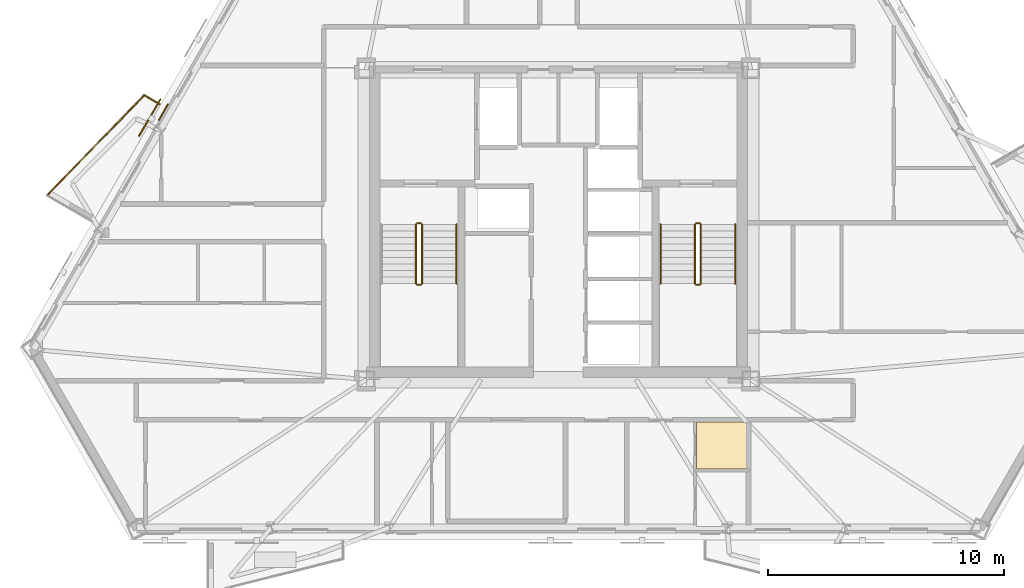
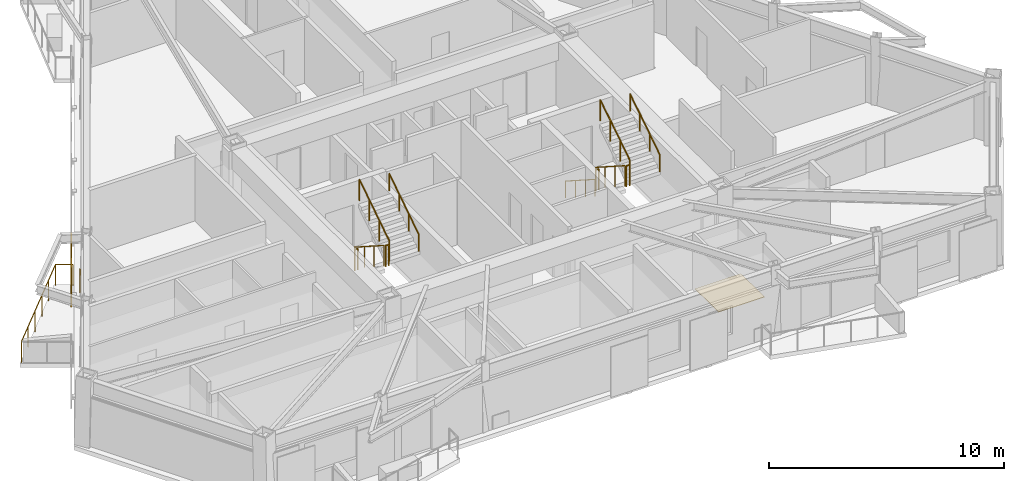
# One storey, part 8 of 9: 13 railings, 2 coverings, 1 shading device.
"""IFC4 building model written with IfcOpenShell, lengths in metres."""

from ifc_helpers import new_model, si_unit, direction, frame, origin, origin_2d, place, context, subcontext, project, spatial, polyline, rectangle, circle, outline, extrude, material, layer, layer_set, type_object, element, save


model = new_model("IFC4")

# Units and contexts
model_context = context("Model", 3, precision=1e-05, world=origin(), true_north=direction((0.0, 1.0)))
body_context = subcontext(model_context, "Body", "Model", "MODEL_VIEW")
ifc_project = project(units=[si_unit("LENGTHUNIT", "METRE"), si_unit("AREAUNIT", "SQUARE_METRE"), si_unit("VOLUMEUNIT", "CUBIC_METRE"), si_unit("PLANEANGLEUNIT", "RADIAN"), si_unit("MASSUNIT", "GRAM", prefix="KILO")], contexts=[model_context])

# Site, building, storey
site_placement = place(None, origin())
site = spatial("IfcSite", under=ifc_project, at=site_placement, CompositionType="ELEMENT")
building_placement = place(site_placement, origin())
building = spatial("IfcBuilding", under=site, at=building_placement, Name="Oramaril Tower", CompositionType="ELEMENT")
storey_placement = place(building_placement, frame((0.0, 0.0, 163.800048828125)))
storey = spatial("IfcBuildingStorey", under=building, at=storey_placement, Name="L43", CompositionType="ELEMENT", Elevation=163.800048828125)

# Coverings
ifc_material_1 = material(Name="Warm Cream Limestone", Category="masonry")
ifc_layer_1 = layer(ifc_material_1, 0.050048828125)
ifc_layer_set_1 = layer_set([ifc_layer_1], Name="CVT-CLD")
covering_type_1 = type_object("IfcCoveringType", Name="CVT-CLD", PredefinedType="CLADDING", material=ifc_layer_set_1)
covering_1_placement = place(storey_placement, frame((20.74658203125, 22.344482421875, 0.0400390625), z_axis=(0.0, 0.0, 1.0), x_axis=(-0.5, -0.866025403784, 0.0)))
element("IfcCovering", 1, at=covering_1_placement, inside=storey, type_object=covering_type_1, Name="L43 Warm Cream Limestone Spandrel Cladding", PredefinedType="CLADDING", context=body_context, shape_type="SweptSolid", body=[
    extrude(rectangle(XDim=0.800048828125, YDim=0.050048828125, at=origin_2d()), origin(), (0.0, 0.0, 1.0), 0.679931640625),
])
ifc_material_2 = material(Name="Honed Quartzite Stone Flooring", Category="masonry")
ifc_layer_2 = layer(ifc_material_2, 0.02490234375)
ifc_layer_set_2 = layer_set([ifc_layer_2], Name="CVT-FLR")
covering_type_2 = type_object("IfcCoveringType", Name="CVT-FLR", PredefinedType="FLOORING", material=ifc_layer_set_2)
covering_2_placement = place(storey_placement, origin())
element("IfcCovering", 2, at=covering_2_placement, inside=storey, type_object=covering_type_2, Name="L43 Honed Stone Floor Finish 13", PredefinedType="FLOORING", context=body_context, shape_type="SweptSolid", body=[
    extrude(outline(polyline([(45.60205078125, 7.208984375), (43.3515625, 7.208984375), (43.3515625, 9.199951171875), (45.60205078125, 9.199951171875), (45.60205078125, 7.208984375)])), origin(), (0.0, 0.0, 1.0), 0.02490234375),
])

# Railings
ifc_material_3 = material(Name="Stainless Steel 316L", Category="steel")
railing_type_1 = type_object("IfcRailingType", Name="RLT-GRD", PredefinedType="GUARDRAIL", material=ifc_material_3)
railing_1_placement = place(storey_placement, frame((15.817138671875, 18.8203125, 0.0)))
element("IfcRailing", 3, at=railing_1_placement, inside=storey, type_object=railing_type_1, Name="L43 Balcony Guardrail L43-BAL-NW2.2", PredefinedType="GUARDRAIL", context=body_context, shape_type="SweptSolid", body=[
    extrude(circle(Radius=0.02392578125, at=origin_2d()), frame((0.0, 0.0, 1.076171875), z_axis=(0.697186915353, 0.716889395277, 0.0), x_axis=(-0.716889395277, 0.697186915353, 0.0)), (0.0, 0.0, 1.0), 5.91064453125),
    extrude(circle(Radius=0.02099609375, at=origin_2d()), origin(), (0.0, 0.0, 1.0), 1.052001953125),
    extrude(circle(Radius=0.02099609375, at=origin_2d()), frame((0.82421875, 0.847412109375, 0.0)), (0.0, 0.0, 1.0), 1.052001953125),
    extrude(circle(Radius=0.02099609375, at=origin_2d()), frame((1.6484375, 1.69482421875, 0.0)), (0.0, 0.0, 1.0), 1.052001953125),
    extrude(circle(Radius=0.02099609375, at=origin_2d()), frame((2.472412109375, 2.54248046875, 0.0)), (0.0, 0.0, 1.0), 1.052001953125),
    extrude(circle(Radius=0.02099609375, at=origin_2d()), frame((3.296630859375, 3.389892578125, 0.0)), (0.0, 0.0, 1.0), 1.052001953125),
    extrude(circle(Radius=0.02099609375, at=origin_2d()), frame((4.120849609375, 4.2373046875, 0.0)), (0.0, 0.0, 1.0), 1.052001953125),
])
railing_2_placement = place(storey_placement, frame((19.93798828125, 23.0576171875, 0.0)))
element("IfcRailing", 4, at=railing_2_placement, inside=storey, type_object=railing_type_1, Name="L43 Balcony Guardrail L43-BAL-NW2.3", PredefinedType="GUARDRAIL", context=body_context, shape_type="SweptSolid", body=[
    extrude(circle(Radius=0.02392578125, at=origin_2d()), frame((0.0, 0.0, 1.076171875), z_axis=(0.866108878364, -0.499855389907, 0.0), x_axis=(0.499855389907, 0.866108878364, 0.0)), (0.0, 0.0, 1.0), 0.741943359375),
    extrude(circle(Radius=0.02099609375, at=origin_2d()), origin(), (0.0, 0.0, 1.0), 1.052001953125),
    extrude(circle(Radius=0.02099609375, at=origin_2d()), frame((0.642578125, -0.370849609375, 0.0)), (0.0, 0.0, 1.0), 1.052001953125),
])
railing_3_placement = place(storey_placement, frame((31.4599609375, 17.590087890625, 0.179931640625)))
element("IfcRailing", 5, at=railing_3_placement, inside=storey, type_object=railing_type_1, Name="L43 ST-1 stair guard 1", PredefinedType="GUARDRAIL", context=body_context, shape_type="SweptSolid", body=[
    extrude(circle(Radius=0.02392578125, at=origin_2d()), frame((0.0, 0.0, 1.076171875), z_axis=(0.0, -0.841162588446, 0.540782303519), x_axis=(1.0, 0.0, 0.0)), (0.0, 0.0, 1.0), 2.995849609375),
    extrude(circle(Radius=0.02099609375, at=origin_2d()), origin(), (0.0, 0.0, 1.0), 1.052001953125),
    extrude(circle(Radius=0.02099609375, at=origin_2d()), frame((0.0, -0.840087890625, 0.5400390625)), (0.0, 0.0, 1.0), 1.052001953125),
    extrude(circle(Radius=0.02099609375, at=origin_2d()), frame((0.0, -1.679931640625, 1.080078125)), (0.0, 0.0, 1.0), 1.052001953125),
    extrude(circle(Radius=0.02099609375, at=origin_2d()), frame((0.0, -2.52001953125, 1.6201171875)), (0.0, 0.0, 1.0), 1.052001953125),
])
railing_4_placement = place(storey_placement, frame((31.510009765625, 15.02001953125, 1.800048828125)))
element("IfcRailing", 6, at=railing_4_placement, inside=storey, type_object=railing_type_1, Name="L43 ST-1 stair guard 2", PredefinedType="GUARDRAIL", context=body_context, shape_type="SweptSolid", body=[
    extrude(circle(Radius=0.02392578125, at=origin_2d()), frame((0.0, 0.0, 1.076171875), z_axis=(1.0, 0.0, 0.0), x_axis=(0.0, 1.0, 0.0)), (0.0, 0.0, 1.0), 0.14990234375),
    extrude(circle(Radius=0.02099609375, at=origin_2d()), origin(), (0.0, 0.0, 1.0), 1.052001953125),
    extrude(circle(Radius=0.02099609375, at=origin_2d()), frame((0.14990234375, 0.0, 0.0)), (0.0, 0.0, 1.0), 1.052001953125),
])
railing_5_placement = place(storey_placement, frame((31.7099609375, 15.070068359375, 1.97998046875)))
element("IfcRailing", 7, at=railing_5_placement, inside=storey, type_object=railing_type_1, Name="L43 ST-1 stair guard 3", PredefinedType="GUARDRAIL", context=body_context, shape_type="SweptSolid", body=[
    extrude(circle(Radius=0.02392578125, at=origin_2d()), frame((0.0, 0.0, 1.076171875), z_axis=(0.0, 0.841199657755, 0.540724639528), x_axis=(-1.0, 0.0, 0.0)), (0.0, 0.0, 1.0), 2.995849609375),
    extrude(circle(Radius=0.02099609375, at=origin_2d()), origin(), (0.0, 0.0, 1.0), 1.052001953125),
    extrude(circle(Radius=0.02099609375, at=origin_2d()), frame((0.0, 0.840087890625, 0.5400390625)), (0.0, 0.0, 1.0), 1.052001953125),
    extrude(circle(Radius=0.02099609375, at=origin_2d()), frame((0.0, 1.679931640625, 1.079833984375)), (0.0, 0.0, 1.0), 1.052001953125),
    extrude(circle(Radius=0.02099609375, at=origin_2d()), frame((0.0, 2.52001953125, 1.619873046875)), (0.0, 0.0, 1.0), 1.052001953125),
])
railing_6_placement = place(storey_placement, frame((31.510009765625, 17.639892578125, 0.0)))
element("IfcRailing", 8, at=railing_6_placement, inside=storey, type_object=railing_type_1, Name="L43 ST-1 stair guard 4", PredefinedType="GUARDRAIL", context=body_context, shape_type="SweptSolid", body=[
    extrude(circle(Radius=0.02392578125, at=origin_2d()), frame((0.0, 0.0, 1.076171875), z_axis=(1.0, 0.0, 0.0), x_axis=(0.0, 1.0, 0.0)), (0.0, 0.0, 1.0), 0.14990234375),
    extrude(circle(Radius=0.02099609375, at=origin_2d()), origin(), (0.0, 0.0, 1.0), 1.052001953125),
    extrude(circle(Radius=0.02099609375, at=origin_2d()), frame((0.14990234375, 0.0, 0.0)), (0.0, 0.0, 1.0), 1.052001953125),
])
railing_7_placement = place(storey_placement, frame((43.2900390625, 17.590087890625, 0.179931640625)))
element("IfcRailing", 9, at=railing_7_placement, inside=storey, type_object=railing_type_1, Name="L43 ST-2 stair guard 1", PredefinedType="GUARDRAIL", context=body_context, shape_type="SweptSolid", body=[
    extrude(circle(Radius=0.02392578125, at=origin_2d()), frame((0.0, 0.0, 1.076171875), z_axis=(0.0, -0.841162588446, 0.540782303519), x_axis=(1.0, 0.0, 0.0)), (0.0, 0.0, 1.0), 2.995849609375),
    extrude(circle(Radius=0.02099609375, at=origin_2d()), origin(), (0.0, 0.0, 1.0), 1.052001953125),
    extrude(circle(Radius=0.02099609375, at=origin_2d()), frame((0.0, -0.840087890625, 0.5400390625)), (0.0, 0.0, 1.0), 1.052001953125),
    extrude(circle(Radius=0.02099609375, at=origin_2d()), frame((0.0, -1.679931640625, 1.080078125)), (0.0, 0.0, 1.0), 1.052001953125),
    extrude(circle(Radius=0.02099609375, at=origin_2d()), frame((0.0, -2.52001953125, 1.6201171875)), (0.0, 0.0, 1.0), 1.052001953125),
])
railing_8_placement = place(storey_placement, frame((43.340087890625, 15.02001953125, 1.800048828125)))
element("IfcRailing", 10, at=railing_8_placement, inside=storey, type_object=railing_type_1, Name="L43 ST-2 stair guard 2", PredefinedType="GUARDRAIL", context=body_context, shape_type="SweptSolid", body=[
    extrude(circle(Radius=0.02392578125, at=origin_2d()), frame((0.0, 0.0, 1.076171875), z_axis=(1.0, 0.0, 0.0), x_axis=(0.0, 1.0, 0.0)), (0.0, 0.0, 1.0), 0.14990234375),
    extrude(circle(Radius=0.02099609375, at=origin_2d()), origin(), (0.0, 0.0, 1.0), 1.052001953125),
    extrude(circle(Radius=0.02099609375, at=origin_2d()), frame((0.14990234375, 0.0, 0.0)), (0.0, 0.0, 1.0), 1.052001953125),
])
railing_9_placement = place(storey_placement, frame((43.5400390625, 15.070068359375, 1.97998046875)))
element("IfcRailing", 11, at=railing_9_placement, inside=storey, type_object=railing_type_1, Name="L43 ST-2 stair guard 3", PredefinedType="GUARDRAIL", context=body_context, shape_type="SweptSolid", body=[
    extrude(circle(Radius=0.02392578125, at=origin_2d()), frame((0.0, 0.0, 1.076171875), z_axis=(0.0, 0.841199657755, 0.540724639528), x_axis=(-1.0, 0.0, 0.0)), (0.0, 0.0, 1.0), 2.995849609375),
    extrude(circle(Radius=0.02099609375, at=origin_2d()), origin(), (0.0, 0.0, 1.0), 1.052001953125),
    extrude(circle(Radius=0.02099609375, at=origin_2d()), frame((0.0, 0.840087890625, 0.5400390625)), (0.0, 0.0, 1.0), 1.052001953125),
    extrude(circle(Radius=0.02099609375, at=origin_2d()), frame((0.0, 1.679931640625, 1.079833984375)), (0.0, 0.0, 1.0), 1.052001953125),
    extrude(circle(Radius=0.02099609375, at=origin_2d()), frame((0.0, 2.52001953125, 1.619873046875)), (0.0, 0.0, 1.0), 1.052001953125),
])
railing_10_placement = place(storey_placement, frame((43.340087890625, 17.639892578125, 0.0)))
element("IfcRailing", 12, at=railing_10_placement, inside=storey, type_object=railing_type_1, Name="L43 ST-2 stair guard 4", PredefinedType="GUARDRAIL", context=body_context, shape_type="SweptSolid", body=[
    extrude(circle(Radius=0.02392578125, at=origin_2d()), frame((0.0, 0.0, 1.076171875), z_axis=(1.0, 0.0, 0.0), x_axis=(0.0, 1.0, 0.0)), (0.0, 0.0, 1.0), 0.14990234375),
    extrude(circle(Radius=0.02099609375, at=origin_2d()), origin(), (0.0, 0.0, 1.0), 1.052001953125),
    extrude(circle(Radius=0.02099609375, at=origin_2d()), frame((0.14990234375, 0.0, 0.0)), (0.0, 0.0, 1.0), 1.052001953125),
])
ifc_material_4 = material(Name="Stainless Steel 316L", Category="steel")
railing_type_2 = type_object("IfcRailingType", Name="RLT-HND", PredefinedType="HANDRAIL", material=ifc_material_4)
railing_11_placement = place(storey_placement, frame((33.169921875, 15.070068359375, 1.97998046875)))
element("IfcRailing", 13, at=railing_11_placement, inside=storey, type_object=railing_type_2, Name="L43 ST-1 stair handrail 2", PredefinedType="HANDRAIL", context=body_context, shape_type="SweptSolid", body=[
    extrude(circle(Radius=0.02392578125, at=origin_2d()), frame((0.0, 0.0, 0.8759765625), z_axis=(0.0, 0.841199657755, 0.540724639528), x_axis=(-1.0, 0.0, 0.0)), (0.0, 0.0, 1.0), 2.995849609375),
    extrude(circle(Radius=0.02099609375, at=origin_2d()), origin(), (0.0, 0.0, 1.0), 0.851806640625),
    extrude(circle(Radius=0.02099609375, at=origin_2d()), frame((0.0, 0.840087890625, 0.5400390625)), (0.0, 0.0, 1.0), 0.851806640625),
    extrude(circle(Radius=0.02099609375, at=origin_2d()), frame((0.0, 1.679931640625, 1.079833984375)), (0.0, 0.0, 1.0), 0.851806640625),
    extrude(circle(Radius=0.02099609375, at=origin_2d()), frame((0.0, 2.52001953125, 1.619873046875)), (0.0, 0.0, 1.0), 0.851806640625),
])
railing_12_placement = place(storey_placement, frame((41.830078125, 17.590087890625, 0.179931640625)))
element("IfcRailing", 14, at=railing_12_placement, inside=storey, type_object=railing_type_2, Name="L43 ST-2 stair handrail 1", PredefinedType="HANDRAIL", context=body_context, shape_type="SweptSolid", body=[
    extrude(circle(Radius=0.02392578125, at=origin_2d()), frame((0.0, 0.0, 0.8759765625), z_axis=(0.0, -0.841162588446, 0.540782303519), x_axis=(1.0, 0.0, 0.0)), (0.0, 0.0, 1.0), 2.995849609375),
    extrude(circle(Radius=0.02099609375, at=origin_2d()), origin(), (0.0, 0.0, 1.0), 0.851806640625),
    extrude(circle(Radius=0.02099609375, at=origin_2d()), frame((0.0, -0.840087890625, 0.5400390625)), (0.0, 0.0, 1.0), 0.851806640625),
    extrude(circle(Radius=0.02099609375, at=origin_2d()), frame((0.0, -1.679931640625, 1.080078125)), (0.0, 0.0, 1.0), 0.851806640625),
    extrude(circle(Radius=0.02099609375, at=origin_2d()), frame((0.0, -2.52001953125, 1.6201171875)), (0.0, 0.0, 1.0), 0.851806640625),
])
railing_13_placement = place(storey_placement, frame((45.0, 15.070068359375, 1.97998046875)))
element("IfcRailing", 15, at=railing_13_placement, inside=storey, type_object=railing_type_2, Name="L43 ST-2 stair handrail 2", PredefinedType="HANDRAIL", context=body_context, shape_type="SweptSolid", body=[
    extrude(circle(Radius=0.02392578125, at=origin_2d()), frame((0.0, 0.0, 0.8759765625), z_axis=(0.0, 0.841199657755, 0.540724639528), x_axis=(-1.0, 0.0, 0.0)), (0.0, 0.0, 1.0), 2.995849609375),
    extrude(circle(Radius=0.02099609375, at=origin_2d()), origin(), (0.0, 0.0, 1.0), 0.851806640625),
    extrude(circle(Radius=0.02099609375, at=origin_2d()), frame((0.0, 0.840087890625, 0.5400390625)), (0.0, 0.0, 1.0), 0.851806640625),
    extrude(circle(Radius=0.02099609375, at=origin_2d()), frame((0.0, 1.679931640625, 1.079833984375)), (0.0, 0.0, 1.0), 0.851806640625),
    extrude(circle(Radius=0.02099609375, at=origin_2d()), frame((0.0, 2.52001953125, 1.619873046875)), (0.0, 0.0, 1.0), 0.851806640625),
])

# Shading device
shading_device_placement = place(storey_placement, frame((20.167724609375, 22.11572265625, -0.02001953125), z_axis=(0.0, 0.0, 1.0), x_axis=(-0.5, -0.866025403784, 0.0)))
element("IfcShadingDevice", 16, at=shading_device_placement, inside=storey, Name="L43 Perforated Ceramic Solar Screen", ObjectType="SCREEN", PredefinedType="USERDEFINED", context=body_context, shape_type="SweptSolid", body=[
    extrude(rectangle(XDim=1.8330078125, YDim=0.050048828125, at=origin_2d()), origin(), (0.0, 0.0, 1.0), 2.60009765625),
])

save(model, "model.ifc")
